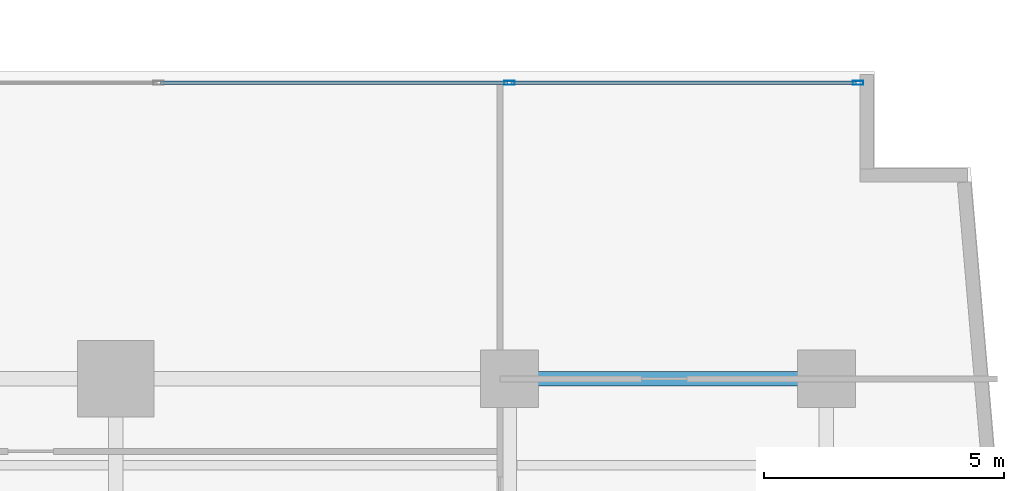
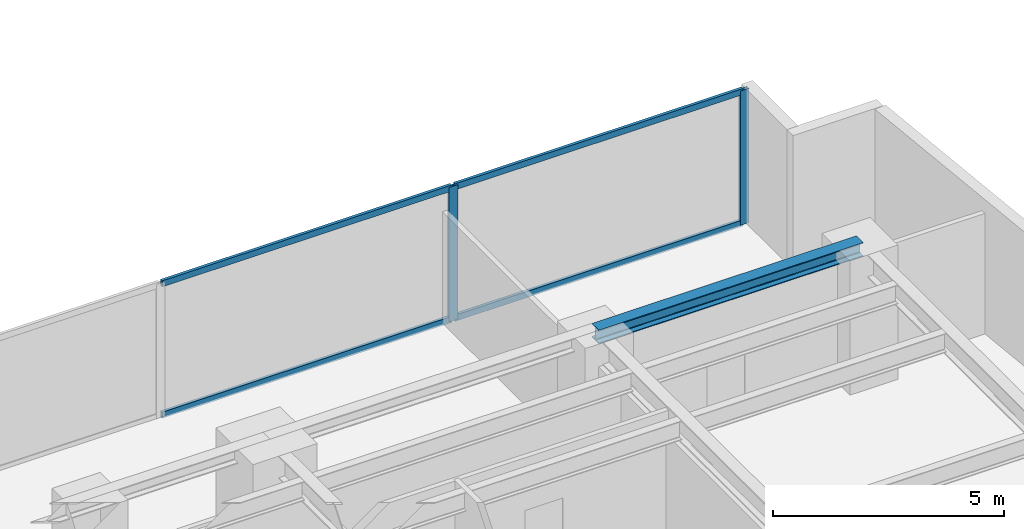
# One storey, part 14 of 28: 6 members, 1 beam, 1 element without a shape of its own.
"""IFC4 building model written with IfcOpenShell, lengths in metres."""

from ifc_helpers import new_model, si_unit, direction, frame, origin, origin_with_axes, origin_2d, place, context, subcontext, project, spatial, hollow_rectangle, i_section, extrude, source, transform, mapped, material, layer, layer_set, material_profile, profile_set, type_object, element, aggregate, save


model = new_model("IFC4")

# Units and contexts
model_context = context("Model", 3, precision=1e-05, world=origin(), true_north=direction((0.0, 1.0)))
body_context = subcontext(model_context, "Body", "Model", "MODEL_VIEW")
ifc_project = project(units=[si_unit("LENGTHUNIT", "METRE"), si_unit("AREAUNIT", "SQUARE_METRE"), si_unit("VOLUMEUNIT", "CUBIC_METRE"), si_unit("PLANEANGLEUNIT", "RADIAN"), si_unit("MASSUNIT", "GRAM", prefix="KILO")], contexts=[model_context])

# Site, building, storey
site_placement = place(None, origin())
site = spatial("IfcSite", under=ifc_project, at=site_placement, CompositionType="ELEMENT")
building_placement = place(site_placement, origin())
building = spatial("IfcBuilding", under=site, at=building_placement, Name="Kolvaren Waterfront Exchange", CompositionType="ELEMENT")
storey_placement = place(building_placement, frame((0.0, 0.0, 56.199951171875)))
storey = spatial("IfcBuildingStorey", under=building, at=storey_placement, Name="L14", CompositionType="ELEMENT", Elevation=56.199951171875)

# Beam
ifc_material_1 = material(Name="Steel S355", Category="steel")
ifc_material_profile_1 = material_profile(ifc_material_1, i_section(OverallWidth=0.300048828125, OverallDepth=0.360107421875, WebThickness=0.012451171875, FlangeThickness=0.0224609375, FilletRadius=0.027099609375, at=origin_2d()), Name="HEB360")
ifc_profile_set_1 = profile_set([ifc_material_profile_1], Name="Steel S355")
beam_type = type_object("IfcBeamType", Name="STR-BM-HEB360", PredefinedType="SPANDREL", material=ifc_profile_set_1)
beam_placement = place(storey_placement, frame((53.800048828125, 17.39990234375, 3.360107421875), z_axis=(1.0, 0.0, 0.0), x_axis=(0.0, 1.0, 0.0)))
element("IfcBeam", 1, at=beam_placement, inside=storey, type_object=beam_type, Name="L14 east-arm spandrel N5", PredefinedType="SPANDREL", context=body_context, shape_type="SweptSolid", body=[
    extrude(i_section(OverallWidth=0.300048828125, OverallDepth=0.360107421875, WebThickness=0.012451171875, FlangeThickness=0.0224609375, FilletRadius=0.027099609375, at=origin_2d()), origin(), (0.0, 0.0, 1.0), 6.599853515625),
])

# Curtain wall, members
ifc_material_2 = material(Name="Anodised bronze aluminium 6063-T6", Category="aluminium")
ifc_layer = layer(ifc_material_2, 0.219970703125, Name="Anodised bronze aluminium 6063-T6")
ifc_layer_set = layer_set([ifc_layer], Name="Anodised bronze aluminium 6063-T6")
curtain_wall_type = type_object("IfcCurtainWallType", Name="ARC-CW-SYS1", PredefinedType="USERDEFINED", material=ifc_layer_set)
curtain_wall_placement = place(storey_placement, origin())
curtain_wall = element("IfcCurtainWall", 2, at=curtain_wall_placement, inside=storey, type_object=curtain_wall_type, Name="L14 stick curtain wall CW1 (CW-L14-EN)", ObjectType="STICK CURTAIN WALL", PredefinedType="USERDEFINED")
ifc_material_3 = material(Name="Anodised aluminium 6063-T6", Category="aluminium")
ifc_material_profile_2 = material_profile(ifc_material_3, hollow_rectangle(XDim=0.074951171875, YDim=0.159912109375, WallThickness=0.00439453125, at=origin_2d()), Name="ALU-TRN-160x75x4.5")
ifc_profile_set_2 = profile_set([ifc_material_profile_2], Name="Anodised aluminium 6063-T6")
member_type_1 = type_object("IfcMemberType", Name="ARC-CWT-160", PredefinedType="USERDEFINED", material=ifc_profile_set_2)
shared_shape_1 = source(origin_with_axes(), body_context, "Body", "SweptSolid", [
    extrude(hollow_rectangle(XDim=0.074951171875, YDim=0.159912109375, WallThickness=0.00439453125, at=origin_2d()), origin(), (0.0, 0.0, 1.0), 7.1826171875),
])
member_1_placement = place(storey_placement, frame((53.83740234375, 23.56005859375, 0.03759765625), z_axis=(1.0, 0.0, 0.0), x_axis=(0.0, 1.0, 0.0)))
member_1 = element("IfcMember", 3, at=member_1_placement, type_object=member_type_1, Name="CW1 transom 4.1", ObjectType="TRANSOM", PredefinedType="USERDEFINED", context=body_context, shape_type="MappedRepresentation", body=[
    mapped(shared_shape_1, transform((0.0, 0.0, 0.0), x_axis=(1.0, 0.0, 0.0), y_axis=(0.0, 1.0, 0.0), z_axis=(0.0, 0.0, 1.0), scale=1.0)),
])
member_2_placement = place(storey_placement, frame((53.83740234375, 23.56005859375, 3.50244140625), z_axis=(1.0, 0.0, 0.0), x_axis=(0.0, 1.0, 0.0)))
member_2 = element("IfcMember", 4, at=member_2_placement, type_object=member_type_1, Name="CW1 transom 4.2", ObjectType="TRANSOM", PredefinedType="USERDEFINED", context=body_context, shape_type="MappedRepresentation", body=[
    mapped(shared_shape_1, transform((0.0, 0.0, 0.0), x_axis=(1.0, 0.0, 0.0), y_axis=(0.0, 1.0, 0.0), z_axis=(0.0, 0.0, 1.0), scale=1.0)),
])
shared_shape_2 = source(origin_with_axes(), body_context, "Body", "SweptSolid", [
    extrude(hollow_rectangle(XDim=0.074951171875, YDim=0.159912109375, WallThickness=0.00439453125, at=origin_2d()), origin(), (0.0, 0.0, 1.0), 7.22265625),
])
member_3_placement = place(storey_placement, frame((46.534912109375, 23.56005859375, 0.03759765625), z_axis=(1.0, 0.0, 0.0), x_axis=(0.0, 1.0, 0.0)))
member_3 = element("IfcMember", 5, at=member_3_placement, type_object=member_type_1, Name="CW1 transom 3.1", ObjectType="TRANSOM", PredefinedType="USERDEFINED", context=body_context, shape_type="MappedRepresentation", body=[
    mapped(shared_shape_2, transform((0.0, 0.0, 0.0), x_axis=(1.0, 0.0, 0.0), y_axis=(0.0, 1.0, 0.0), z_axis=(0.0, 0.0, 1.0), scale=1.0)),
])
member_4_placement = place(storey_placement, frame((46.534912109375, 23.56005859375, 3.50244140625), z_axis=(1.0, 0.0, 0.0), x_axis=(0.0, 1.0, 0.0)))
member_4 = element("IfcMember", 6, at=member_4_placement, type_object=member_type_1, Name="CW1 transom 3.2", ObjectType="TRANSOM", PredefinedType="USERDEFINED", context=body_context, shape_type="MappedRepresentation", body=[
    mapped(shared_shape_2, transform((0.0, 0.0, 0.0), x_axis=(1.0, 0.0, 0.0), y_axis=(0.0, 1.0, 0.0), z_axis=(0.0, 0.0, 1.0), scale=1.0)),
])
ifc_material_profile_3 = material_profile(ifc_material_3, hollow_rectangle(XDim=0.080078125, YDim=0.219970703125, WallThickness=0.0048828125, at=origin_2d()), Name="ALU-MUL-220x80x5")
ifc_profile_set_3 = profile_set([ifc_material_profile_3], Name="Anodised aluminium 6063-T6")
member_type_2 = type_object("IfcMemberType", Name="ARC-CWM-220", PredefinedType="MULLION", material=ifc_profile_set_3)
shared_shape_3 = source(origin_with_axes(), body_context, "Body", "SweptSolid", [
    extrude(hollow_rectangle(XDim=0.080078125, YDim=0.219970703125, WallThickness=0.0048828125, at=origin_2d()), origin(), (0.0, 0.0, 1.0), 3.5400390625),
])
member_5_placement = place(storey_placement, frame((53.797607421875, 23.56005859375, 0.0), z_axis=(0.0, 0.0, 1.0), x_axis=(0.0, 1.0, 0.0)))
member_5 = element("IfcMember", 7, at=member_5_placement, type_object=member_type_2, Name="CW1 mullion 4", PredefinedType="MULLION", context=body_context, shape_type="MappedRepresentation", body=[
    mapped(shared_shape_3, transform((0.0, 0.0, 0.0), x_axis=(1.0, 0.0, 0.0), y_axis=(0.0, 1.0, 0.0), z_axis=(0.0, 0.0, 1.0), scale=1.0)),
])
member_6_placement = place(storey_placement, frame((61.06005859375, 23.56005859375, 0.0), z_axis=(0.0, 0.0, 1.0), x_axis=(0.0, 1.0, 0.0)))
member_6 = element("IfcMember", 8, at=member_6_placement, type_object=member_type_2, Name="CW1 mullion 5", PredefinedType="MULLION", context=body_context, shape_type="MappedRepresentation", body=[
    mapped(shared_shape_3, transform((0.0, 0.0, 0.0), x_axis=(1.0, 0.0, 0.0), y_axis=(0.0, 1.0, 0.0), z_axis=(0.0, 0.0, 1.0), scale=1.0)),
])
aggregate(curtain_wall, [member_5, member_6, member_3, member_4, member_1, member_2])

save(model, "model.ifc")
